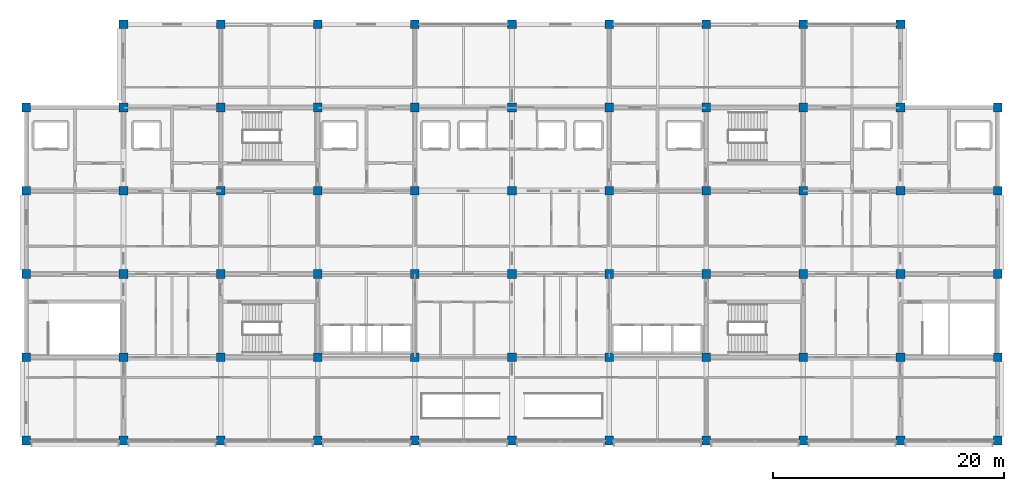
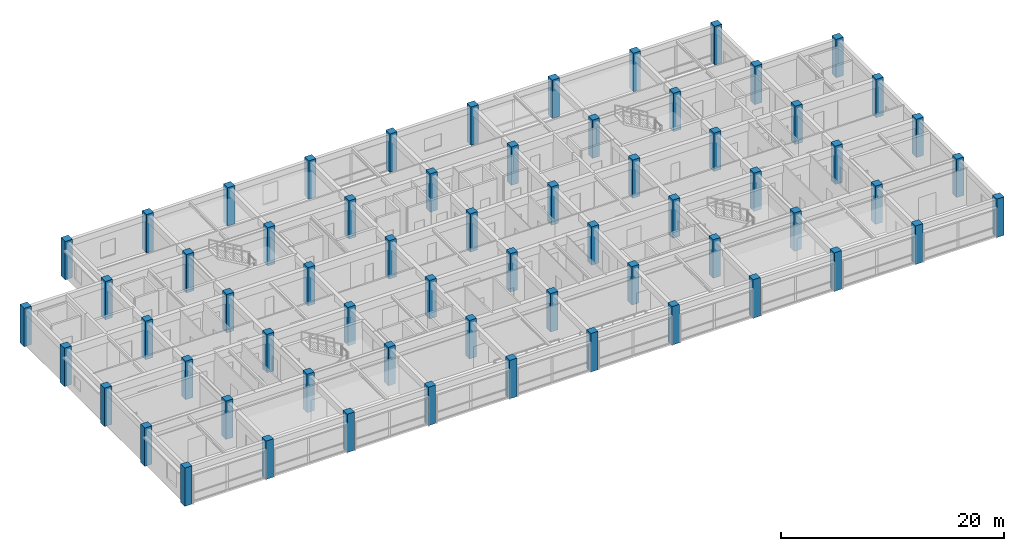
# One storey, part 1 of 23: 64 columns.
"""IFC4 building model written with IfcOpenShell, lengths in metres."""

from ifc_helpers import new_model, si_unit, direction, frame, origin, origin_2d, place, context, subcontext, project, spatial, rectangle, extrude, material, material_profile, profile_set, type_object, element, save


model = new_model("IFC4")

# Units and contexts
model_context = context("Model", 3, precision=1e-05, world=origin(), true_north=direction((0.0, 1.0)))
body_context = subcontext(model_context, "Body", "Model", "MODEL_VIEW")
ifc_project = project(units=[si_unit("LENGTHUNIT", "METRE"), si_unit("AREAUNIT", "SQUARE_METRE"), si_unit("VOLUMEUNIT", "CUBIC_METRE"), si_unit("PLANEANGLEUNIT", "RADIAN"), si_unit("MASSUNIT", "GRAM", prefix="KILO")], contexts=[model_context])

# Site, building, storey
site_placement = place(None, origin())
site = spatial("IfcSite", under=ifc_project, at=site_placement, CompositionType="ELEMENT")
building_placement = place(site_placement, origin())
building = spatial("IfcBuilding", under=site, at=building_placement, Name="Chengyuan Square Courthouse", CompositionType="ELEMENT")
storey_placement = place(building_placement, frame((0.0, 0.0, 43.5)))
storey = spatial("IfcBuildingStorey", under=building, at=storey_placement, Name="L10", CompositionType="ELEMENT", Elevation=43.5)

# Columns
ifc_material = material(Name="Concrete C40", Category="concrete")
ifc_material_profile = material_profile(ifc_material, rectangle(XDim=0.75, YDim=0.75, at=origin_2d()), Name="RC-COL-750x750")
ifc_profile_set = profile_set([ifc_material_profile], Name="Concrete C40")
column_type = type_object("IfcColumnType", Name="CL-05", PredefinedType="COLUMN", material=ifc_profile_set)
for number, where, z_axis, x_axis, name in (
    (1, (42.0, 79.199951171875, 0.0), (0.0, 0.0, 1.0), (1.0, 0.0, 0.0), "Column CL-L10-001"),
    (2, (42.0, 86.39990234375, 0.0), (0.0, 0.0, 1.0), (1.0, 0.0, 0.0), "Column CL-L10-002"),
    (3, (42.0, 93.60009765625, 0.0), (0.0, 0.0, 1.0), (1.0, 0.0, 0.0), "Column CL-L10-003"),
    (4, (42.0, 100.800048828125, 0.0), (0.0, 0.0, 1.0), (1.0, 0.0, 0.0), "Column CL-L10-004"),
    (5, (42.0, 108.0, 0.0), (0.0, 0.0, 1.0), (1.0, 0.0, 0.0), "Column CL-L10-005"),
    (6, (50.39990234375, 79.199951171875, 0.0), (0.0, 0.0, 1.0), (1.0, 0.0, 0.0), "Column CL-L10-006"),
    (7, (50.39990234375, 86.39990234375, 0.0), (0.0, 0.0, 1.0), (1.0, 0.0, 0.0), "Column CL-L10-007"),
    (8, (50.39990234375, 93.60009765625, 0.0), (0.0, 0.0, 1.0), (1.0, 0.0, 0.0), "Column CL-L10-008"),
    (9, (50.39990234375, 100.800048828125, 0.0), (0.0, 0.0, 1.0), (1.0, 0.0, 0.0), "Column CL-L10-009"),
    (10, (50.39990234375, 108.0, 0.0), (0.0, 0.0, 1.0), (1.0, 0.0, 0.0), "Column CL-L10-010"),
    (11, (50.39990234375, 115.199951171875, 0.0), (0.0, 0.0, 1.0), (1.0, 0.0, 0.0), "Column CL-L10-011"),
    (12, (58.800048828125, 79.199951171875, 0.0), (0.0, 0.0, 1.0), (1.0, 0.0, 0.0), "Column CL-L10-012"),
    (13, (58.800048828125, 86.39990234375, 0.0), (0.0, 0.0, 1.0), (1.0, 0.0, 0.0), "Column CL-L10-013"),
    (14, (58.800048828125, 93.60009765625, 0.0), (0.0, 0.0, 1.0), (1.0, 0.0, 0.0), "Column CL-L10-014"),
    (15, (58.800048828125, 100.800048828125, 0.0), (0.0, 0.0, 1.0), (1.0, 0.0, 0.0), "Column CL-L10-015"),
    (16, (58.800048828125, 108.0, 0.0), (0.0, 0.0, 1.0), (1.0, 0.0, 0.0), "Column CL-L10-016"),
    (17, (58.800048828125, 115.199951171875, 0.0), (0.0, 0.0, 1.0), (1.0, 0.0, 0.0), "Column CL-L10-017"),
    (18, (67.199951171875, 79.199951171875, 0.0), (0.0, 0.0, 1.0), (1.0, 0.0, 0.0), "Column CL-L10-018"),
    (19, (67.199951171875, 86.39990234375, 0.0), (0.0, 0.0, 1.0), (1.0, 0.0, 0.0), "Column CL-L10-019"),
    (20, (67.199951171875, 93.60009765625, 0.0), (0.0, 0.0, 1.0), (1.0, 0.0, 0.0), "Column CL-L10-020"),
    (21, (67.199951171875, 100.800048828125, 0.0), (0.0, 0.0, 1.0), (1.0, 0.0, 0.0), "Column CL-L10-021"),
    (22, (67.199951171875, 108.0, 0.0), (0.0, 0.0, 1.0), (1.0, 0.0, 0.0), "Column CL-L10-022"),
    (23, (67.199951171875, 115.199951171875, 0.0), (0.0, 0.0, 1.0), (1.0, 0.0, 0.0), "Column CL-L10-023"),
    (24, (75.60009765625, 79.199951171875, 0.0), (0.0, 0.0, 1.0), (1.0, 0.0, 0.0), "Column CL-L10-024"),
    (25, (75.60009765625, 86.39990234375, 0.0), (0.0, 0.0, 1.0), (1.0, 0.0, 0.0), "Column CL-L10-025"),
    (26, (75.60009765625, 93.60009765625, 0.0), (0.0, 0.0, 1.0), (1.0, 0.0, 0.0), "Column CL-L10-026"),
    (27, (75.60009765625, 100.800048828125, 0.0), (0.0, 0.0, 1.0), (1.0, 0.0, 0.0), "Column CL-L10-027"),
    (28, (75.60009765625, 108.0, 0.0), (0.0, 0.0, 1.0), (1.0, 0.0, 0.0), "Column CL-L10-028"),
    (29, (75.60009765625, 115.199951171875, 0.0), (0.0, 0.0, 1.0), (1.0, 0.0, 0.0), "Column CL-L10-029"),
    (30, (84.0, 79.199951171875, 0.0), (0.0, 0.0, 1.0), (1.0, 0.0, 0.0), "Column CL-L10-030"),
    (31, (84.0, 86.39990234375, 0.0), (0.0, 0.0, 1.0), (1.0, 0.0, 0.0), "Column CL-L10-031"),
    (32, (84.0, 93.60009765625, 0.0), (0.0, 0.0, 1.0), (1.0, 0.0, 0.0), "Column CL-L10-032"),
    (33, (84.0, 100.800048828125, 0.0), (0.0, 0.0, 1.0), (1.0, 0.0, 0.0), "Column CL-L10-033"),
    (34, (84.0, 108.0, 0.0), (0.0, 0.0, 1.0), (1.0, 0.0, 0.0), "Column CL-L10-034"),
    (35, (84.0, 115.199951171875, 0.0), (0.0, 0.0, 1.0), (1.0, 0.0, 0.0), "Column CL-L10-035"),
    (36, (92.39990234375, 79.199951171875, 0.0), (0.0, 0.0, 1.0), (1.0, 0.0, 0.0), "Column CL-L10-036"),
    (37, (92.39990234375, 86.39990234375, 0.0), (0.0, 0.0, 1.0), (1.0, 0.0, 0.0), "Column CL-L10-037"),
    (38, (92.39990234375, 93.60009765625, 0.0), (0.0, 0.0, 1.0), (1.0, 0.0, 0.0), "Column CL-L10-038"),
    (39, (92.39990234375, 100.800048828125, 0.0), (0.0, 0.0, 1.0), (1.0, 0.0, 0.0), "Column CL-L10-039"),
    (40, (92.39990234375, 108.0, 0.0), (0.0, 0.0, 1.0), (1.0, 0.0, 0.0), "Column CL-L10-040"),
    (41, (92.39990234375, 115.199951171875, 0.0), (0.0, 0.0, 1.0), (1.0, 0.0, 0.0), "Column CL-L10-041"),
    (42, (100.800048828125, 79.199951171875, 0.0), (0.0, 0.0, 1.0), (1.0, 0.0, 0.0), "Column CL-L10-042"),
    (43, (100.800048828125, 86.39990234375, 0.0), (0.0, 0.0, 1.0), (1.0, 0.0, 0.0), "Column CL-L10-043"),
    (44, (100.800048828125, 93.60009765625, 0.0), (0.0, 0.0, 1.0), (1.0, 0.0, 0.0), "Column CL-L10-044"),
    (45, (100.800048828125, 100.800048828125, 0.0), (0.0, 0.0, 1.0), (1.0, 0.0, 0.0), "Column CL-L10-045"),
    (46, (100.800048828125, 108.0, 0.0), (0.0, 0.0, 1.0), (1.0, 0.0, 0.0), "Column CL-L10-046"),
    (47, (100.800048828125, 115.199951171875, 0.0), (0.0, 0.0, 1.0), (1.0, 0.0, 0.0), "Column CL-L10-047"),
    (48, (109.199951171875, 79.199951171875, 0.0), (0.0, 0.0, 1.0), (1.0, 0.0, 0.0), "Column CL-L10-048"),
    (49, (109.199951171875, 86.39990234375, 0.0), (0.0, 0.0, 1.0), (1.0, 0.0, 0.0), "Column CL-L10-049"),
    (50, (109.199951171875, 93.60009765625, 0.0), (0.0, 0.0, 1.0), (1.0, 0.0, 0.0), "Column CL-L10-050"),
    (51, (109.199951171875, 100.800048828125, 0.0), (0.0, 0.0, 1.0), (1.0, 0.0, 0.0), "Column CL-L10-051"),
    (52, (109.199951171875, 108.0, 0.0), (0.0, 0.0, 1.0), (1.0, 0.0, 0.0), "Column CL-L10-052"),
    (53, (109.199951171875, 115.199951171875, 0.0), (0.0, 0.0, 1.0), (1.0, 0.0, 0.0), "Column CL-L10-053"),
    (54, (117.60009765625, 79.199951171875, 0.0), (0.0, 0.0, 1.0), (1.0, 0.0, 0.0), "Column CL-L10-054"),
    (55, (117.60009765625, 86.39990234375, 0.0), (0.0, 0.0, 1.0), (1.0, 0.0, 0.0), "Column CL-L10-055"),
    (56, (117.60009765625, 93.60009765625, 0.0), (0.0, 0.0, 1.0), (1.0, 0.0, 0.0), "Column CL-L10-056"),
    (57, (117.60009765625, 100.800048828125, 0.0), (0.0, 0.0, 1.0), (1.0, 0.0, 0.0), "Column CL-L10-057"),
    (58, (117.60009765625, 108.0, 0.0), (0.0, 0.0, 1.0), (1.0, 0.0, 0.0), "Column CL-L10-058"),
    (59, (117.60009765625, 115.199951171875, 0.0), (0.0, 0.0, 1.0), (1.0, 0.0, 0.0), "Column CL-L10-059"),
    (60, (126.0, 79.199951171875, 0.0), (0.0, 0.0, 1.0), (1.0, 0.0, 0.0), "Column CL-L10-060"),
    (61, (126.0, 86.39990234375, 0.0), (0.0, 0.0, 1.0), (1.0, 0.0, 0.0), "Column CL-L10-061"),
    (62, (126.0, 93.60009765625, 0.0), (0.0, 0.0, 1.0), (1.0, 0.0, 0.0), "Column CL-L10-062"),
    (63, (126.0, 100.800048828125, 0.0), (0.0, 0.0, 1.0), (1.0, 0.0, 0.0), "Column CL-L10-063"),
    (64, (126.0, 108.0, 0.0), (0.0, 0.0, 1.0), (1.0, 0.0, 0.0), "Column CL-L10-064"),
):
    element("IfcColumn", number, at=place(storey_placement, frame(where, z_axis=z_axis, x_axis=x_axis)), inside=storey, type_object=column_type, Name=name, PredefinedType="COLUMN", context=body_context, shape_type="SweptSolid", body=[
        extrude(rectangle(XDim=0.75, YDim=0.75, at=origin_2d()), origin(), (0.0, 0.0, 1.0), 4.199951171875),
    ])

save(model, "model.ifc")
